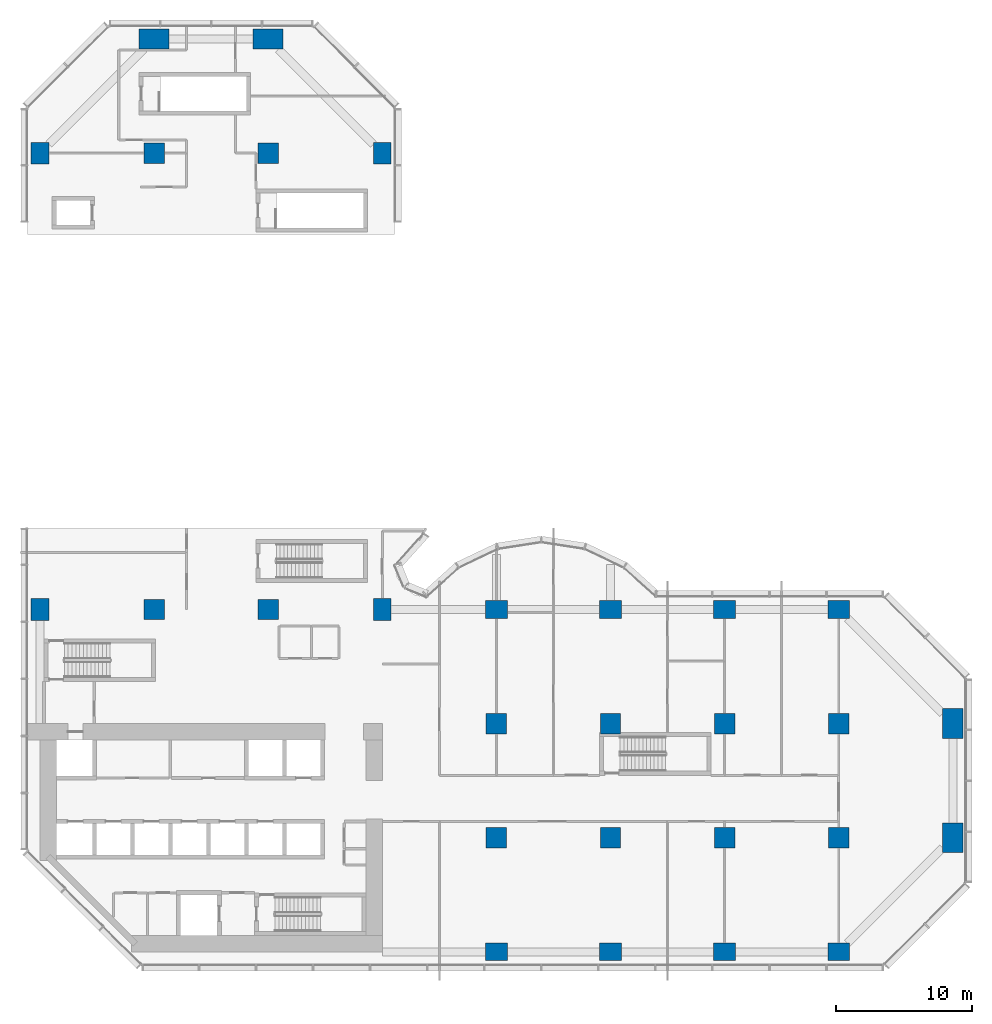
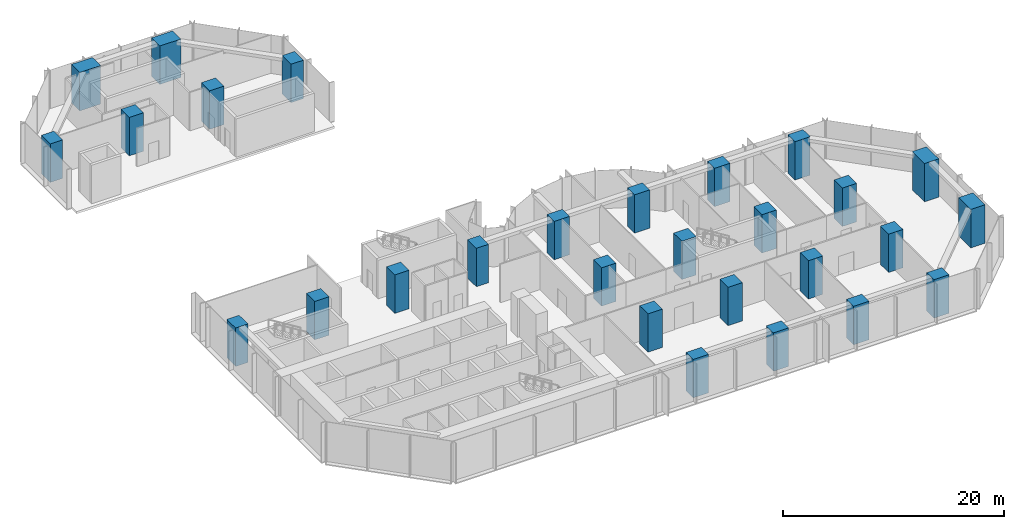
# One storey, part 1 of 13: 28 columns.
"""IFC4 building model written with IfcOpenShell, lengths in metres."""

from ifc_helpers import new_model, si_unit, direction, frame, origin, origin_2d, place, context, subcontext, project, spatial, rectangle, extrude, material, material_profile, profile_set, type_object, element, save


model = new_model("IFC4")

# Units and contexts
model_context = context("Model", 3, precision=1e-05, world=origin(), true_north=direction((0.0, 1.0)))
body_context = subcontext(model_context, "Body", "Model", "MODEL_VIEW")
ifc_project = project(units=[si_unit("LENGTHUNIT", "METRE"), si_unit("AREAUNIT", "SQUARE_METRE"), si_unit("VOLUMEUNIT", "CUBIC_METRE"), si_unit("PLANEANGLEUNIT", "RADIAN"), si_unit("MASSUNIT", "GRAM", prefix="KILO")], contexts=[model_context])

# Site, building, storey
site_placement = place(None, origin())
site = spatial("IfcSite", under=ifc_project, at=site_placement, CompositionType="ELEMENT")
building_placement = place(site_placement, origin())
building = spatial("IfcBuilding", under=site, at=building_placement, Name="Brevane Broadcast Tower", CompositionType="ELEMENT")
storey_placement = place(building_placement, frame((0.0, 0.0, 32.0)))
storey = spatial("IfcBuildingStorey", under=building, at=storey_placement, Name="L05", CompositionType="ELEMENT", Elevation=32.0)

# Columns
ifc_material = material(Name="Concrete C80/95", Category="concrete")
ifc_material_profile_1 = material_profile(ifc_material, rectangle(XDim=1.300048828125, YDim=1.60009765625, at=origin_2d()), Name="RC 1300x1600")
ifc_profile_set_1 = profile_set([ifc_material_profile_1], Name="Concrete C80/95")
column_type_1 = type_object("IfcColumnType", Name="RC COLUMN EDGE 1300x1600 C80/95", PredefinedType="COLUMN", material=ifc_profile_set_1)
for number, where, z_axis, x_axis, name in (
    (1, (0.0, 25.199951171875, 0.0), (0.0, 0.0, 1.0), (1.0, 0.0, 0.0), "CE1 1/D"),
    (2, (0.0, 58.800048828125, 0.0), (0.0, 0.0, 1.0), (1.0, 0.0, 0.0), "CE1 1/H"),
    (3, (25.199951171875, 25.199951171875, 0.0), (0.0, 0.0, 1.0), (1.0, 0.0, 0.0), "CE1 4/D"),
    (4, (25.199951171875, 58.800048828125, 0.0), (0.0, 0.0, 1.0), (1.0, 0.0, 0.0), "CE1 4/H"),
    (5, (33.60009765625, 0.0, 0.0), (0.0, 0.0, 1.0), (0.0, 1.0, 0.0), "CE1 5/A"),
    (6, (33.60009765625, 25.199951171875, 0.0), (0.0, 0.0, 1.0), (0.0, 1.0, 0.0), "CE1 5/D"),
    (7, (42.0, 0.0, 0.0), (0.0, 0.0, 1.0), (0.0, 1.0, 0.0), "CE1 6/A"),
    (8, (42.0, 25.199951171875, 0.0), (0.0, 0.0, 1.0), (0.0, 1.0, 0.0), "CE1 6/D"),
    (9, (50.39990234375, 0.0, 0.0), (0.0, 0.0, 1.0), (0.0, 1.0, 0.0), "CE1 7/A"),
    (10, (50.39990234375, 25.199951171875, 0.0), (0.0, 0.0, 1.0), (0.0, 1.0, 0.0), "CE1 7/D"),
    (11, (58.800048828125, 0.0, 0.0), (0.0, 0.0, 1.0), (0.0, 1.0, 0.0), "CE1 8/A"),
    (12, (58.800048828125, 25.199951171875, 0.0), (0.0, 0.0, 1.0), (0.0, 1.0, 0.0), "CE1 8/D"),
):
    element("IfcColumn", number, at=place(storey_placement, frame(where, z_axis=z_axis, x_axis=x_axis)), inside=storey, type_object=column_type_1, Name=name, PredefinedType="COLUMN", context=body_context, shape_type="SweptSolid", body=[
        extrude(rectangle(XDim=1.300048828125, YDim=1.60009765625, at=origin_2d()), origin(), (0.0, 0.0, 1.0), 4.25),
    ])
ifc_material_profile_2 = material_profile(ifc_material, rectangle(XDim=1.5, YDim=1.5, at=origin_2d()), Name="RC 1500x1500")
ifc_profile_set_2 = profile_set([ifc_material_profile_2], Name="Concrete C80/95")
column_type_2 = type_object("IfcColumnType", Name="RC COLUMN INTERIOR 1500x1500 C80/95", PredefinedType="COLUMN", material=ifc_profile_set_2)
for number, where, z_axis, x_axis, name in (
    (13, (8.39990234375, 25.199951171875, 0.0), (0.0, 0.0, 1.0), (1.0, 0.0, 0.0), "CI2 2/D"),
    (14, (8.39990234375, 58.800048828125, 0.0), (0.0, 0.0, 1.0), (1.0, 0.0, 0.0), "CI2 2/H"),
    (15, (16.800048828125, 25.199951171875, 0.0), (0.0, 0.0, 1.0), (1.0, 0.0, 0.0), "CI2 3/D"),
    (16, (16.800048828125, 58.800048828125, 0.0), (0.0, 0.0, 1.0), (1.0, 0.0, 0.0), "CI2 3/H"),
    (17, (33.60009765625, 8.39990234375, 0.0), (0.0, 0.0, 1.0), (1.0, 0.0, 0.0), "CI2 5/B"),
    (18, (33.60009765625, 16.800048828125, 0.0), (0.0, 0.0, 1.0), (1.0, 0.0, 0.0), "CI2 5/C"),
    (19, (42.0, 8.39990234375, 0.0), (0.0, 0.0, 1.0), (1.0, 0.0, 0.0), "CI2 6/B"),
    (20, (42.0, 16.800048828125, 0.0), (0.0, 0.0, 1.0), (1.0, 0.0, 0.0), "CI2 6/C"),
    (21, (50.39990234375, 8.39990234375, 0.0), (0.0, 0.0, 1.0), (1.0, 0.0, 0.0), "CI2 7/B"),
    (22, (50.39990234375, 16.800048828125, 0.0), (0.0, 0.0, 1.0), (1.0, 0.0, 0.0), "CI2 7/C"),
    (23, (58.800048828125, 8.39990234375, 0.0), (0.0, 0.0, 1.0), (1.0, 0.0, 0.0), "CI2 8/B"),
    (24, (58.800048828125, 16.800048828125, 0.0), (0.0, 0.0, 1.0), (1.0, 0.0, 0.0), "CI2 8/C"),
):
    element("IfcColumn", number, at=place(storey_placement, frame(where, z_axis=z_axis, x_axis=x_axis)), inside=storey, type_object=column_type_2, Name=name, PredefinedType="COLUMN", context=body_context, shape_type="SweptSolid", body=[
        extrude(rectangle(XDim=1.5, YDim=1.5, at=origin_2d()), origin(), (0.0, 0.0, 1.0), 4.25),
    ])
ifc_material_profile_3 = material_profile(ifc_material, rectangle(XDim=1.5, YDim=2.199951171875, at=origin_2d()), Name="RC 1500x2200")
ifc_profile_set_3 = profile_set([ifc_material_profile_3], Name="Concrete C80/95")
column_type_3 = type_object("IfcColumnType", Name="RC COLUMN WING-END 1500x2200 C80/95", PredefinedType="COLUMN", material=ifc_profile_set_3)
for number, where, z_axis, x_axis, name in (
    (25, (8.39990234375, 67.199951171875, 0.0), (0.0, 0.0, 1.0), (0.0, 1.0, 0.0), "CW3 2/I"),
    (26, (16.800048828125, 67.199951171875, 0.0), (0.0, 0.0, 1.0), (0.0, 1.0, 0.0), "CW3 3/I"),
    (27, (67.199951171875, 8.39990234375, 0.0), (0.0, 0.0, 1.0), (1.0, 0.0, 0.0), "CW3 9/B"),
    (28, (67.199951171875, 16.800048828125, 0.0), (0.0, 0.0, 1.0), (1.0, 0.0, 0.0), "CW3 9/C"),
):
    element("IfcColumn", number, at=place(storey_placement, frame(where, z_axis=z_axis, x_axis=x_axis)), inside=storey, type_object=column_type_3, Name=name, PredefinedType="COLUMN", context=body_context, shape_type="SweptSolid", body=[
        extrude(rectangle(XDim=1.5, YDim=2.199951171875, at=origin_2d()), origin(), (0.0, 0.0, 1.0), 4.25),
    ])

save(model, "model.ifc")
